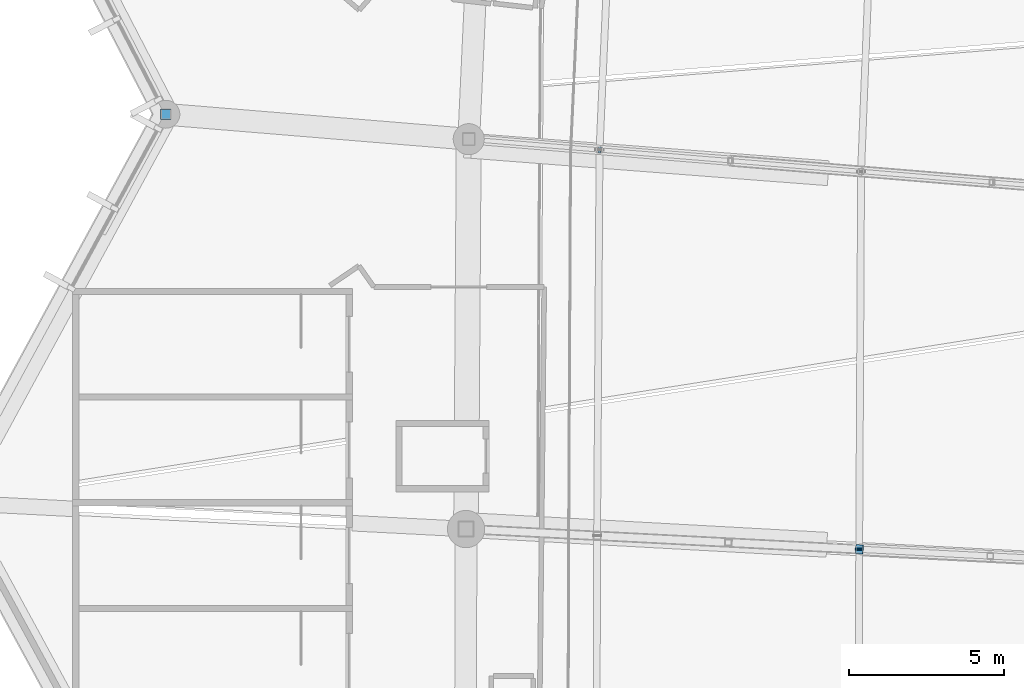
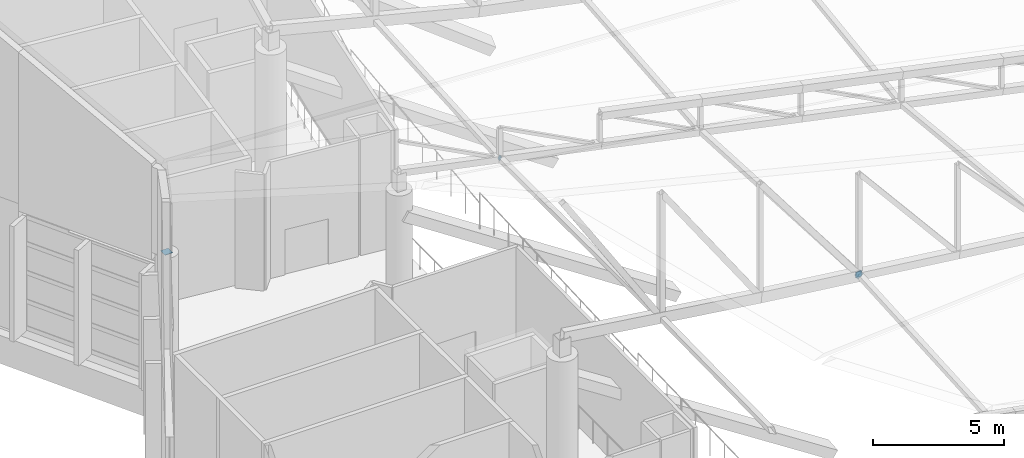
# One storey, part 310 of 344: 5 discrete accessories.
"""IFC4 building model written with IfcOpenShell, lengths in metres."""

import ifcopenshell
import ifcopenshell.guid

model = None  # the IFC model being written
_history = None  # IfcOwnerHistory: only IFC2X3 demands one
_inside = {}  # id of a spatial element -> (the spatial element, [elements in it])
_under = {}  # id of a project, library or spatial element -> (it, [spatial elements below it])
_declared = {}  # id of a project -> (the project, [libraries it declares])
_typed = {}  # id of a type object -> (the type object, [elements of that type])
_made_of = {}  # id of a material, layer set ... -> (it, [elements and type objects made of it])


def new_model(schema):
    """Start an empty IFC model of exactly this schema.

    Asked for "IFC4X3", IfcOpenShell would pick the latest addendum, in which some entities
    have other attributes; the version numbers below select the first issue.
    IFC2X3 requires an IfcOwnerHistory on every rooted entity: one is made here for all.
    """
    global model, _history
    if schema == "IFC4X3":
        model = ifcopenshell.file(schema_version=(4, 3, 0, 0))
    else:
        model = ifcopenshell.file(schema=schema)
    _inside.clear()
    _under.clear()
    _declared.clear()
    _typed.clear()
    _made_of.clear()
    _history = None
    if model.schema == "IFC2X3":
        org = make("IfcOrganization", Name="unknown")
        user = make(
            "IfcPersonAndOrganization",
            ThePerson=make("IfcPerson", FamilyName="unknown"),
            TheOrganization=org,
        )
        app = make(
            "IfcApplication",
            ApplicationDeveloper=org,
            Version="unknown",
            ApplicationFullName="unknown",
            ApplicationIdentifier="unknown",
        )
        _history = make(
            "IfcOwnerHistory",
            OwningUser=user,
            OwningApplication=app,
            ChangeAction="ADDED",
            CreationDate=0,
        )
    return model


def make(cls, **values):
    """One entity of the class cls with the attributes given. An attribute that is None is left unset."""
    return model.create_entity(
        cls, **{name: value for name, value in values.items() if value is not None}
    )


def rooted(cls, **values):
    """An entity with a GlobalId (a new one), such as an element, a storey or a relation."""
    return make(cls, GlobalId=ifcopenshell.guid.new(), OwnerHistory=_history, **values)


def si_unit(unit_type, name, prefix=None):
    """IfcSIUnit, for example si_unit("LENGTHUNIT", "METRE", prefix="MILLI")."""
    return make("IfcSIUnit", UnitType=unit_type, Prefix=prefix, Name=name)


def assignment(units):
    """IfcUnitAssignment: the units of a project."""
    return None if units is None else make("IfcUnitAssignment", Units=units)


def point(xyz):
    """IfcCartesianPoint."""
    return None if xyz is None else make("IfcCartesianPoint", Coordinates=xyz)


def direction(xyz):
    """IfcDirection."""
    return None if xyz is None else make("IfcDirection", DirectionRatios=xyz)


def frame(location, z_axis=None, x_axis=None):
    """IfcAxis2Placement3D, a coordinate frame: its origin and axes. An axis left out is left unset."""
    return make(
        "IfcAxis2Placement3D",
        Location=point(location),
        Axis=direction(z_axis),
        RefDirection=direction(x_axis),
    )


def frame_2d(location, x_axis=None):
    """IfcAxis2Placement2D, a coordinate frame in the plane: its origin and x axis."""
    return make(
        "IfcAxis2Placement2D", Location=point(location), RefDirection=direction(x_axis)
    )


def origin():
    """The frame at (0, 0, 0) with its axes left unset."""
    return frame((0.0, 0.0, 0.0))


def origin_2d():
    """The frame at (0, 0) in the plane with its x axis left unset."""
    return frame_2d((0.0, 0.0))


def place(relative_to, where):
    """IfcLocalPlacement: puts the frame where relative to a parent placement (None: the world)."""
    return make(
        "IfcLocalPlacement", PlacementRelTo=relative_to, RelativePlacement=where
    )


def context(
    kind, dimensions, precision=None, world=None, true_north=None, identifier=None
):
    """IfcGeometricRepresentationContext, for example the 3D "Model" context."""
    return make(
        "IfcGeometricRepresentationContext",
        ContextIdentifier=identifier,
        ContextType=kind,
        CoordinateSpaceDimension=dimensions,
        Precision=precision,
        WorldCoordinateSystem=world,
        TrueNorth=true_north,
    )


def subcontext(parent, identifier, kind, view, scale=None):
    """IfcGeometricRepresentationSubContext, for example "Body" below "Model"."""
    return make(
        "IfcGeometricRepresentationSubContext",
        ContextIdentifier=identifier,
        ContextType=kind,
        ParentContext=parent,
        TargetScale=scale,
        TargetView=view,
    )


def project(units=None, contexts=None):
    """IfcProject with its units and contexts."""
    return rooted(
        "IfcProject",
        Name="project",
        RepresentationContexts=contexts,
        UnitsInContext=assignment(units),
    )


def spatial(cls, under=None, at=None, **own):
    """A site, building, storey or space (cls), placed at a placement, below another one or the project."""
    s = rooted(cls, ObjectPlacement=at, **own)
    if under is not None:
        _under.setdefault(under.id(), (under, []))[1].append(s)
    return s


def profile(cls, at=None, kind="AREA", **sizes):
    """A parametric profile (cls). Its sizes go by their IFC names, for example OverallWidth=200.0."""
    return make(cls, ProfileType=kind, Position=at, **sizes)


def rectangle(**sizes):
    """IfcRectangleProfileDef."""
    return profile("IfcRectangleProfileDef", **sizes)


def extrude(swept, where, along, depth):
    """IfcExtrudedAreaSolid: the profile swept, set in the frame where, extruded along a direction by depth."""
    return make(
        "IfcExtrudedAreaSolid",
        SweptArea=swept,
        Position=where,
        ExtrudedDirection=direction(along),
        Depth=depth,
    )


def shape(context_of_items, identifier, shape_type, items):
    """IfcShapeRepresentation: the items that make up one representation, for example the "Body"."""
    return make(
        "IfcShapeRepresentation",
        ContextOfItems=context_of_items,
        RepresentationIdentifier=identifier,
        RepresentationType=shape_type,
        Items=items,
    )


def material(Name=None, Category=None):
    """IfcMaterial."""
    return make("IfcMaterial", Name=Name, Category=Category)


def material_profile(
    of_material, cross_section, Name=None, Category=None, Priority=None
):
    """IfcMaterialProfile: a cross section and its material."""
    return make(
        "IfcMaterialProfile",
        Name=Name,
        Material=of_material,
        Profile=cross_section,
        Priority=Priority,
        Category=Category,
    )


def profile_set(profiles, Name=None, composite=None):
    """IfcMaterialProfileSet."""
    return make(
        "IfcMaterialProfileSet",
        Name=Name,
        MaterialProfiles=profiles,
        CompositeProfile=composite,
    )


def made_of(thing, what):
    """Note that an element or type object is made of a material, layer set ...; save() writes the relation."""
    if what is not None:
        _made_of.setdefault(what.id(), (what, []))[1].append(thing)
    return thing


def type_object(cls, material=None, **own):
    """A type object (cls), such as IfcWallType, which elements share."""
    return made_of(rooted(cls, **own), material)


def element(
    cls,
    number,
    at=None,
    inside=None,
    cuts=None,
    type_object=None,
    material=None,
    context=None,
    identifier="Body",
    shape_type=None,
    held_by="IfcProductDefinitionShape",
    body=None,
    shapes=None,
    **own,
):
    """One element of the class cls, such as IfcWall. Its Tag is "e" and its number.

    at: its placement. inside: the storey or other place that contains it. cuts: it is an
    opening in that element (IfcRelVoidsElement). A single representation is given by context,
    identifier, shape_type and body (its items); several are given by shapes. held_by: the class
    of the entity that holds the representations. save() writes the other relations.
    """
    e = rooted(cls, Tag="e%d" % number, ObjectPlacement=at, **own)
    if body is not None:
        shapes = [shape(context, identifier, shape_type, body)]
    if shapes is not None:
        e.Representation = make(held_by, Representations=shapes)
    if inside is not None:
        _inside.setdefault(inside.id(), (inside, []))[1].append(e)
    if cuts is not None:
        rooted(
            "IfcRelVoidsElement", RelatingBuildingElement=cuts, RelatedOpeningElement=e
        )
    if type_object is not None:
        _typed.setdefault(type_object.id(), (type_object, []))[1].append(e)
    return made_of(e, material)


def aggregate(whole, parts):
    """IfcRelAggregates: a whole, such as a stair, and the parts it consists of."""
    return rooted("IfcRelAggregates", RelatingObject=whole, RelatedObjects=parts)


def save(model, path):
    """Write the relations noted so far, then the file.

    IfcRelAggregates (storeys below a building ...), IfcRelContainedInSpatialStructure (elements
    in a storey), IfcRelDefinesByType, IfcRelAssociatesMaterial and IfcRelDeclares: one each for
    every whole, place, type object, material and project.
    """
    for whole, parts in _under.values():
        aggregate(whole, parts)
    for where, things in _inside.values():
        rooted(
            "IfcRelContainedInSpatialStructure",
            RelatedElements=things,
            RelatingStructure=where,
        )
    for kind, things in _typed.values():
        rooted("IfcRelDefinesByType", RelatedObjects=things, RelatingType=kind)
    for what, things in _made_of.values():
        rooted("IfcRelAssociatesMaterial", RelatedObjects=things, RelatingMaterial=what)
    for by, libraries in _declared.values():
        rooted("IfcRelDeclares", RelatingContext=by, RelatedDefinitions=libraries)
    model.write(path)


model = new_model("IFC4")

# Units and contexts
model_context = context("Model", 3, precision=1e-05, world=origin(), true_north=direction((0.0, 1.0)))
body_context = subcontext(model_context, "Body", "Model", "MODEL_VIEW")
ifc_project = project(units=[si_unit("LENGTHUNIT", "METRE"), si_unit("AREAUNIT", "SQUARE_METRE"), si_unit("VOLUMEUNIT", "CUBIC_METRE"), si_unit("PLANEANGLEUNIT", "RADIAN"), si_unit("MASSUNIT", "GRAM", prefix="KILO")], contexts=[model_context])

# Site, building, storey
site_placement = place(None, origin())
site = spatial("IfcSite", under=ifc_project, at=site_placement, CompositionType="ELEMENT")
building_placement = place(site_placement, origin())
building = spatial("IfcBuilding", under=site, at=building_placement, Name="Meseta Stadium", CompositionType="ELEMENT")
storey_placement = place(building_placement, frame((0.0, 0.0, 24.0)))
storey = spatial("IfcBuildingStorey", under=building, at=storey_placement, Name="L04", CompositionType="ELEMENT", Elevation=24.0)

# Discrete accessories
ifc_material_1 = material(Name="Steel S355", Category="steel")
ifc_material_profile_1 = material_profile(ifc_material_1, rectangle(XDim=0.179931640625, YDim=0.179931640625, at=origin_2d()), Name="PL 180x180")
ifc_profile_set_1 = profile_set([ifc_material_profile_1], Name="Steel S355")
discrete_accessory_type_1 = type_object("IfcDiscreteAccessoryType", Name="End plate 180x180x20", PredefinedType="ANCHORPLATE", material=ifc_profile_set_1)
discrete_accessory_1_placement = place(storey_placement, frame((-80.628173828125, 42.60107421875, 6.15771484375), z_axis=(-0.894443975619, 0.073515943202, 0.44109565921), x_axis=(-0.081915556729, -0.996639273542, 0.0)))
element("IfcDiscreteAccessory", 1, at=discrete_accessory_1_placement, inside=storey, type_object=discrete_accessory_type_1, Name="End plate of ROOF TRUSS RT-29 diagonal", PredefinedType="ANCHORPLATE", context=body_context, shape_type="SweptSolid", body=[
    extrude(rectangle(XDim=0.179931640625, YDim=0.179931640625, at=origin_2d()), origin(), (0.0, 0.0, 1.0), 0.02001953125),
])
ifc_material_2 = material(Name="Steel S355", Category="steel")
ifc_material_profile_2 = material_profile(ifc_material_2, rectangle(XDim=0.260009765625, YDim=0.260009765625, at=origin_2d()), Name="PL 260x260")
ifc_profile_set_2 = profile_set([ifc_material_profile_2], Name="Steel S355")
discrete_accessory_type_2 = type_object("IfcDiscreteAccessoryType", Name="End plate 260x260x20", PredefinedType="ANCHORPLATE", material=ifc_profile_set_2)
discrete_accessory_2_placement = place(storey_placement, frame((-72.290771484375, 29.75390625, 5.624755859375), z_axis=(0.0, -0.998146155389, 0.060862570451), x_axis=(1.0, 0.0, 0.0)))
element("IfcDiscreteAccessory", 2, at=discrete_accessory_2_placement, inside=storey, type_object=discrete_accessory_type_2, Name="End plate of ROOF TRUSS STRUT RT-29/30", PredefinedType="ANCHORPLATE", context=body_context, shape_type="SweptSolid", body=[
    extrude(rectangle(XDim=0.260009765625, YDim=0.260009765625, at=origin_2d()), origin(), (0.0, 0.0, 1.0), 0.02001953125),
])
discrete_accessory_3_placement = place(storey_placement, frame((-72.290771484375, 29.773681640625, 5.6259765625), z_axis=(0.0, -0.998100230056, -0.061611125312), x_axis=(1.0, 0.0, 0.0)))
element("IfcDiscreteAccessory", 3, at=discrete_accessory_3_placement, inside=storey, type_object=discrete_accessory_type_2, Name="End plate of ROOF TRUSS STRUT RT-30/31", PredefinedType="ANCHORPLATE", context=body_context, shape_type="SweptSolid", body=[
    extrude(rectangle(XDim=0.260009765625, YDim=0.260009765625, at=origin_2d()), origin(), (0.0, 0.0, 1.0), 0.019775390625),
])
ifc_material_3 = material(Name="Steel S355", Category="steel")
ifc_material_profile_3 = material_profile(ifc_material_3, rectangle(XDim=0.2900390625, YDim=0.2900390625, at=origin_2d()), Name="PL 290x290")
ifc_profile_set_3 = profile_set([ifc_material_profile_3], Name="Steel S355")
discrete_accessory_type_3 = type_object("IfcDiscreteAccessoryType", Name="End plate 290x290x20", PredefinedType="ANCHORPLATE", material=ifc_profile_set_3)
discrete_accessory_4_placement = place(storey_placement, frame((-72.27880859375, 29.753173828125, 5.60888671875), z_axis=(-0.601555381629, 0.036829921324, 0.797981628691), x_axis=(-0.06111006328, -0.998131033565, 0.0)))
element("IfcDiscreteAccessory", 4, at=discrete_accessory_4_placement, inside=storey, type_object=discrete_accessory_type_3, Name="End plate of ROOF TRUSS RT-30 diagonal", PredefinedType="ANCHORPLATE", context=body_context, shape_type="SweptSolid", body=[
    extrude(rectangle(XDim=0.2900390625, YDim=0.2900390625, at=origin_2d()), origin(), (0.0, 0.0, 1.0), 0.019775390625),
])
ifc_material_4 = material(Name="Steel S355", Category="steel")
ifc_material_profile_4 = material_profile(ifc_material_4, rectangle(XDim=0.340087890625, YDim=0.340087890625, at=origin_2d()), Name="PL 340x340")
ifc_profile_set_4 = profile_set([ifc_material_profile_4], Name="Steel S355")
discrete_accessory_type_4 = type_object("IfcDiscreteAccessoryType", Name="End plate 340x340x20", PredefinedType="ANCHORPLATE", material=ifc_profile_set_4)
discrete_accessory_5_placement = place(storey_placement, frame((-94.60009765625, 43.75, 5.97998046875), z_axis=(0.0, 0.0, 1.0), x_axis=(1.0, 0.0, 0.0)))
element("IfcDiscreteAccessory", 5, at=discrete_accessory_5_placement, inside=storey, type_object=discrete_accessory_type_4, Name="End plate of ROOF RIM POST RT-29", PredefinedType="ANCHORPLATE", context=body_context, shape_type="SweptSolid", body=[
    extrude(rectangle(XDim=0.340087890625, YDim=0.340087890625, at=origin_2d()), origin(), (0.0, 0.0, 1.0), 0.02001953125),
])

save(model, "model.ifc")
